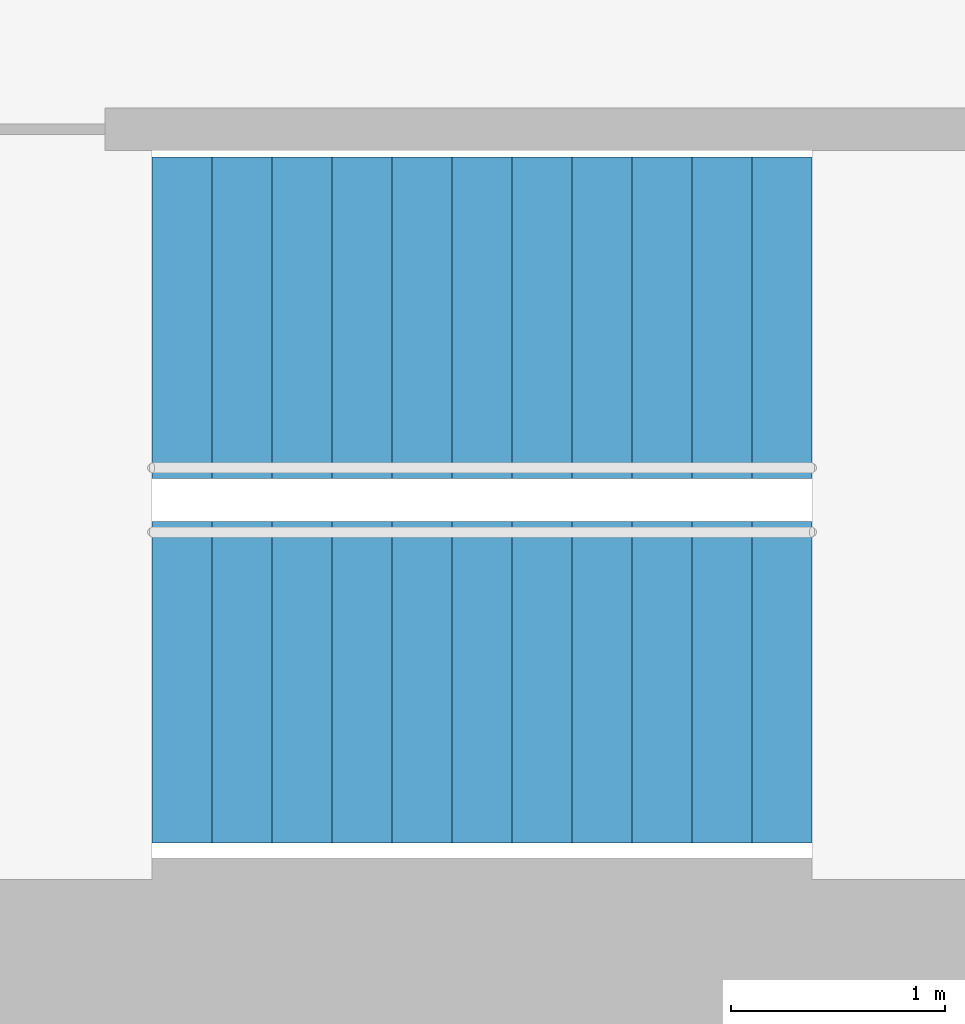
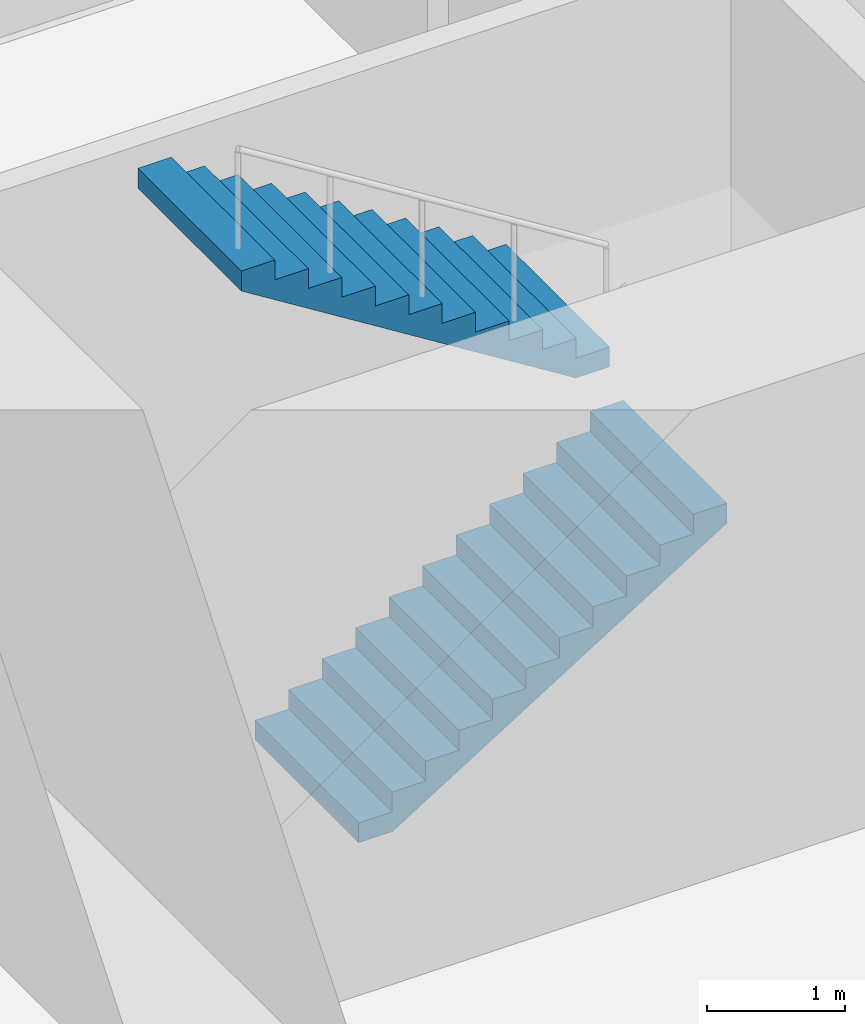
# One storey, part 16 of 18: 2 stair flights, 1 element without a shape of its own.
"""IFC4 building model written with IfcOpenShell, lengths in metres."""

from ifc_helpers import new_model, si_unit, direction, frame, origin, place, context, subcontext, project, spatial, triangles, material, type_object, element, aggregate, save


model = new_model("IFC4")

# Units and contexts
model_context = context("Model", 3, precision=1e-05, world=origin(), true_north=direction((0.0, 1.0)))
body_context = subcontext(model_context, "Body", "Model", "MODEL_VIEW")
ifc_project = project(units=[si_unit("LENGTHUNIT", "METRE"), si_unit("AREAUNIT", "SQUARE_METRE"), si_unit("VOLUMEUNIT", "CUBIC_METRE"), si_unit("PLANEANGLEUNIT", "RADIAN"), si_unit("MASSUNIT", "GRAM", prefix="KILO")], contexts=[model_context])

# Site, building, storey
site_placement = place(None, origin())
site = spatial("IfcSite", under=ifc_project, at=site_placement, CompositionType="ELEMENT")
building_placement = place(site_placement, origin())
building = spatial("IfcBuilding", under=site, at=building_placement, Name="Lantaw Convention Tower", CompositionType="ELEMENT")
storey_placement = place(building_placement, frame((0.0, 0.0, 142.60009765625)))
storey = spatial("IfcBuildingStorey", under=building, at=storey_placement, Name="L33", CompositionType="ELEMENT", Elevation=142.60009765625)

# Stair, stair flights
ifc_material = material(Name="Concrete C35/45", Category="concrete")
stair_type = type_object("IfcStairType", Name="Exit stair 1500 riser 175 in 2 flights", PredefinedType="HALF_TURN_STAIR", material=ifc_material)
stair_placement = place(storey_placement, origin())
stair = element("IfcStair", 1, at=stair_placement, inside=storey, type_object=stair_type, Name="Exit stair S1 L33", PredefinedType="HALF_TURN_STAIR")
stair_flight_type = type_object("IfcStairFlightType", Name="Stair flight 1500 riser 175", PredefinedType="STRAIGHT", material=ifc_material)
stair_flight_1_placement = place(storey_placement, frame((-10.580078125, -5.97998046875, 0.0), z_axis=(0.0, 0.0, 1.0), x_axis=(1.0, 0.0, 0.0)))
stair_flight_1 = element("IfcStairFlight", 2, at=stair_flight_1_placement, type_object=stair_flight_type, Name="S1 flight 1", NumberOfRisers=12, NumberOfTreads=11, PredefinedType="STRAIGHT", RiserHeight=0.175, TreadLength=0.28, context=body_context, shape_type="Tessellation", body=[
    triangles([(0.0, 0.75, 0.0), (0.0, 0.75, 0.175), (0.28, 0.75, 0.0), (0.28, 0.75, 0.175), (0.28, 0.75, 0.35), (0.28283517651771284, 0.75, 0.0), (0.28283517651771284, 0.75, 0.35), (0.56, 0.75, 0.17322801467642948), (0.56, 0.75, 0.35), (0.56, 0.75, 0.5249999999999999), (0.8400000000000001, 0.75, 0.34822801467642944), (0.8400000000000001, 0.75, 0.5249999999999999), (0.8400000000000001, 0.75, 0.7), (1.12, 0.75, 0.5232280146764294), (1.12, 0.75, 0.7), (1.12, 0.75, 0.875), (1.4000000000000001, 0.75, 0.6982280146764295), (1.4000000000000001, 0.75, 0.875), (1.4000000000000001, 0.75, 1.0499999999999998), (1.6800000000000002, 0.75, 0.8732280146764294), (1.6800000000000002, 0.75, 1.0499999999999998), (1.6800000000000002, 0.75, 1.2249999999999999), (1.9600000000000002, 0.75, 1.0482280146764293), (1.9600000000000002, 0.75, 1.2249999999999999), (1.9600000000000002, 0.75, 1.4), (2.24, 0.75, 1.2232280146764294), (2.24, 0.75, 1.4), (2.24, 0.75, 1.575), (2.5200000000000005, 0.75, 1.3982280146764294), (2.5200000000000005, 0.75, 1.575), (2.5200000000000005, 0.75, 1.75), (2.8000000000000003, 0.75, 1.5732280146764293), (2.8000000000000003, 0.75, 1.75), (2.8000000000000003, 0.75, 1.9249999999999998), (3.08, 0.75, 1.7482280146764293), (3.08, 0.75, 1.9249999999999998), (0.0, -0.75, 0.0), (0.0, -0.75, 0.175), (0.28, -0.75, 0.0), (0.28, -0.75, 0.175), (0.28, -0.75, 0.35), (0.28283517651771284, -0.75, 0.0), (0.28283517651771284, -0.75, 0.35), (0.56, -0.75, 0.17322801467642948), (0.56, -0.75, 0.35), (0.56, -0.75, 0.5249999999999999), (0.8400000000000001, -0.75, 0.34822801467642944), (0.8400000000000001, -0.75, 0.5249999999999999), (0.8400000000000001, -0.75, 0.7), (1.12, -0.75, 0.5232280146764294), (1.12, -0.75, 0.7), (1.12, -0.75, 0.875), (1.4000000000000001, -0.75, 0.6982280146764295), (1.4000000000000001, -0.75, 0.875), (1.4000000000000001, -0.75, 1.0499999999999998), (1.6800000000000002, -0.75, 0.8732280146764294), (1.6800000000000002, -0.75, 1.0499999999999998), (1.6800000000000002, -0.75, 1.2249999999999999), (1.9600000000000002, -0.75, 1.0482280146764293), (1.9600000000000002, -0.75, 1.2249999999999999), (1.9600000000000002, -0.75, 1.4), (2.24, -0.75, 1.2232280146764294), (2.24, -0.75, 1.4), (2.24, -0.75, 1.575), (2.5200000000000005, -0.75, 1.3982280146764294), (2.5200000000000005, -0.75, 1.575), (2.5200000000000005, -0.75, 1.75), (2.8000000000000003, -0.75, 1.5732280146764293), (2.8000000000000003, -0.75, 1.75), (2.8000000000000003, -0.75, 1.9249999999999998), (3.08, -0.75, 1.7482280146764293), (3.08, -0.75, 1.9249999999999998), (0.0, 0.15000000000000002, 0.175), (0.0, 0.15000000000000002, 0.0), (0.0, 0.0, 0.175), (0.0, 0.0, 0.0), (0.0, -0.15000000000000002, 0.175), (0.0, -0.15000000000000002, 0.0), (0.28, 0.15000000000000002, 0.35), (0.28, 0.15000000000000002, 0.175), (0.28, 0.0, 0.35), (0.28, 0.0, 0.175), (0.28, -0.15000000000000002, 0.35), (0.28, -0.15000000000000002, 0.175), (0.56, 0.15000000000000002, 0.5249999999999999), (0.56, 0.15000000000000002, 0.35), (0.56, 0.0, 0.5249999999999999), (0.56, 0.0, 0.35), (0.56, -0.15000000000000002, 0.5249999999999999), (0.56, -0.15000000000000002, 0.35), (0.8400000000000001, 0.15000000000000002, 0.7), (0.8400000000000001, 0.15000000000000002, 0.5249999999999999), (0.8400000000000001, 0.0, 0.7), (0.8400000000000001, 0.0, 0.5249999999999999), (0.8400000000000001, -0.15000000000000002, 0.7), (0.8400000000000001, -0.15000000000000002, 0.5249999999999999), (1.12, 0.15000000000000002, 0.875), (1.12, 0.15000000000000002, 0.7), (1.12, 0.0, 0.875), (1.12, 0.0, 0.7), (1.12, -0.15000000000000002, 0.875), (1.12, -0.15000000000000002, 0.7), (1.4000000000000001, 0.15000000000000002, 1.0499999999999998), (1.4000000000000001, 0.15000000000000002, 0.875), (1.4000000000000001, 0.0, 1.0499999999999998), (1.4000000000000001, 0.0, 0.875), (1.4000000000000001, -0.15000000000000002, 1.0499999999999998), (1.4000000000000001, -0.15000000000000002, 0.875), (1.6800000000000002, 0.15000000000000002, 1.2249999999999999), (1.6800000000000002, 0.15000000000000002, 1.0499999999999998), (1.6800000000000002, 0.0, 1.2249999999999999), (1.6800000000000002, 0.0, 1.0499999999999998), (1.6800000000000002, -0.15000000000000002, 1.2249999999999999), (1.6800000000000002, -0.15000000000000002, 1.0499999999999998), (1.9600000000000002, 0.15000000000000002, 1.4), (1.9600000000000002, 0.15000000000000002, 1.2249999999999999), (1.9600000000000002, 0.0, 1.4), (1.9600000000000002, 0.0, 1.2249999999999999), (1.9600000000000002, -0.15000000000000002, 1.4), (1.9600000000000002, -0.15000000000000002, 1.2249999999999999), (2.24, 0.15000000000000002, 1.575), (2.24, 0.15000000000000002, 1.4), (2.24, 0.0, 1.575), (2.24, 0.0, 1.4), (2.24, -0.15000000000000002, 1.575), (2.24, -0.15000000000000002, 1.4), (2.5200000000000005, 0.15000000000000002, 1.75), (2.5200000000000005, 0.15000000000000002, 1.575), (2.5200000000000005, 0.0, 1.75), (2.5200000000000005, 0.0, 1.575), (2.5200000000000005, -0.15000000000000002, 1.75), (2.5200000000000005, -0.15000000000000002, 1.575), (2.8000000000000003, 0.15000000000000002, 1.9249999999999998), (2.8000000000000003, 0.15000000000000002, 1.75), (2.8000000000000003, 0.0, 1.9249999999999998), (2.8000000000000003, 0.0, 1.75), (2.8000000000000003, -0.15000000000000002, 1.9249999999999998), (2.8000000000000003, -0.15000000000000002, 1.75), (0.28283517651771284, 0.15000000000000002, 0.35), (0.28283517651771284, 0.0, 0.35), (0.28283517651771284, -0.15000000000000002, 0.35), (3.08, 0.15000000000000002, 1.9249999999999998), (3.08, 0.0, 1.9249999999999998), (3.08, -0.15000000000000002, 1.9249999999999998), (3.08, 0.15000000000000002, 1.7482280146764293), (3.08, 0.0, 1.7482280146764293), (3.08, -0.15000000000000002, 1.7482280146764293), (2.8000000000000003, 0.15000000000000002, 1.5732280146764293), (2.8000000000000003, 0.0, 1.5732280146764293), (2.8000000000000003, -0.15000000000000002, 1.5732280146764293), (2.5200000000000005, 0.15000000000000002, 1.3982280146764294), (2.5200000000000005, 0.0, 1.3982280146764294), (2.5200000000000005, -0.15000000000000002, 1.3982280146764294), (2.24, 0.15000000000000002, 1.2232280146764294), (2.24, 0.0, 1.2232280146764294), (2.24, -0.15000000000000002, 1.2232280146764294), (1.9600000000000002, 0.15000000000000002, 1.0482280146764293), (1.9600000000000002, 0.0, 1.0482280146764293), (1.9600000000000002, -0.15000000000000002, 1.0482280146764293), (1.6800000000000002, 0.15000000000000002, 0.8732280146764294), (1.6800000000000002, 0.0, 0.8732280146764294), (1.6800000000000002, -0.15000000000000002, 0.8732280146764294), (1.4000000000000001, 0.15000000000000002, 0.6982280146764295), (1.4000000000000001, 0.0, 0.6982280146764295), (1.4000000000000001, -0.15000000000000002, 0.6982280146764295), (1.12, 0.15000000000000002, 0.5232280146764294), (1.12, 0.0, 0.5232280146764294), (1.12, -0.15000000000000002, 0.5232280146764294), (0.8400000000000001, 0.15000000000000002, 0.34822801467642944), (0.8400000000000001, 0.0, 0.34822801467642944), (0.8400000000000001, -0.15000000000000002, 0.34822801467642944), (0.56, 0.15000000000000002, 0.17322801467642948), (0.56, 0.0, 0.17322801467642948), (0.56, -0.15000000000000002, 0.17322801467642948), (0.28283517651771284, 0.15000000000000002, 0.0), (0.28283517651771284, 0.0, 0.0), (0.28283517651771284, -0.15000000000000002, 0.0), (0.28, 0.15000000000000002, 0.0), (0.28, 0.0, 0.0), (0.28, -0.15000000000000002, 0.0)], [[1, 4, 3], [1, 2, 4], [3, 4, 6], [4, 7, 6], [4, 5, 7], [6, 9, 8], [6, 7, 9], [8, 9, 11], [9, 12, 11], [9, 10, 12], [11, 12, 14], [12, 15, 14], [12, 13, 15], [14, 15, 17], [15, 18, 17], [15, 16, 18], [17, 18, 20], [18, 21, 20], [18, 19, 21], [20, 21, 23], [21, 24, 23], [21, 22, 24], [23, 24, 26], [24, 27, 26], [24, 25, 27], [26, 27, 29], [27, 30, 29], [27, 28, 30], [29, 30, 32], [30, 33, 32], [30, 31, 33], [32, 33, 35], [33, 36, 35], [33, 34, 36], [37, 39, 40], [37, 40, 38], [39, 42, 40], [40, 42, 43], [40, 43, 41], [42, 44, 45], [42, 45, 43], [44, 47, 45], [45, 47, 48], [45, 48, 46], [47, 50, 48], [48, 50, 51], [48, 51, 49], [50, 53, 51], [51, 53, 54], [51, 54, 52], [53, 56, 54], [54, 56, 57], [54, 57, 55], [56, 59, 57], [57, 59, 60], [57, 60, 58], [59, 62, 60], [60, 62, 63], [60, 63, 61], [62, 65, 63], [63, 65, 66], [63, 66, 64], [65, 68, 66], [66, 68, 69], [66, 69, 67], [68, 71, 69], [69, 71, 72], [69, 72, 70], [1, 73, 2], [1, 74, 73], [74, 75, 73], [74, 76, 75], [76, 77, 75], [76, 78, 77], [78, 38, 77], [78, 37, 38], [4, 79, 5], [4, 80, 79], [80, 81, 79], [80, 82, 81], [82, 83, 81], [82, 84, 83], [84, 41, 83], [84, 40, 41], [9, 85, 10], [9, 86, 85], [86, 87, 85], [86, 88, 87], [88, 89, 87], [88, 90, 89], [90, 46, 89], [90, 45, 46], [12, 91, 13], [12, 92, 91], [92, 93, 91], [92, 94, 93], [94, 95, 93], [94, 96, 95], [96, 49, 95], [96, 48, 49], [15, 97, 16], [15, 98, 97], [98, 99, 97], [98, 100, 99], [100, 101, 99], [100, 102, 101], [102, 52, 101], [102, 51, 52], [18, 103, 19], [18, 104, 103], [104, 105, 103], [104, 106, 105], [106, 107, 105], [106, 108, 107], [108, 55, 107], [108, 54, 55], [21, 109, 22], [21, 110, 109], [110, 111, 109], [110, 112, 111], [112, 113, 111], [112, 114, 113], [114, 58, 113], [114, 57, 58], [24, 115, 25], [24, 116, 115], [116, 117, 115], [116, 118, 117], [118, 119, 117], [118, 120, 119], [120, 61, 119], [120, 60, 61], [27, 121, 28], [27, 122, 121], [122, 123, 121], [122, 124, 123], [124, 125, 123], [124, 126, 125], [126, 64, 125], [126, 63, 64], [30, 127, 31], [30, 128, 127], [128, 129, 127], [128, 130, 129], [130, 131, 129], [130, 132, 131], [132, 67, 131], [132, 66, 67], [33, 133, 34], [33, 134, 133], [134, 135, 133], [134, 136, 135], [136, 137, 135], [136, 138, 137], [138, 70, 137], [138, 69, 70], [2, 80, 4], [2, 73, 80], [73, 82, 80], [73, 75, 82], [75, 84, 82], [75, 77, 84], [77, 40, 84], [77, 38, 40], [5, 139, 7], [5, 79, 139], [79, 140, 139], [79, 81, 140], [81, 141, 140], [81, 83, 141], [83, 43, 141], [83, 41, 43], [7, 86, 9], [7, 139, 86], [139, 88, 86], [139, 140, 88], [140, 90, 88], [140, 141, 90], [141, 45, 90], [141, 43, 45], [10, 92, 12], [10, 85, 92], [85, 94, 92], [85, 87, 94], [87, 96, 94], [87, 89, 96], [89, 48, 96], [89, 46, 48], [13, 98, 15], [13, 91, 98], [91, 100, 98], [91, 93, 100], [93, 102, 100], [93, 95, 102], [95, 51, 102], [95, 49, 51], [16, 104, 18], [16, 97, 104], [97, 106, 104], [97, 99, 106], [99, 108, 106], [99, 101, 108], [101, 54, 108], [101, 52, 54], [19, 110, 21], [19, 103, 110], [103, 112, 110], [103, 105, 112], [105, 114, 112], [105, 107, 114], [107, 57, 114], [107, 55, 57], [22, 116, 24], [22, 109, 116], [109, 118, 116], [109, 111, 118], [111, 120, 118], [111, 113, 120], [113, 60, 120], [113, 58, 60], [25, 122, 27], [25, 115, 122], [115, 124, 122], [115, 117, 124], [117, 126, 124], [117, 119, 126], [119, 63, 126], [119, 61, 63], [28, 128, 30], [28, 121, 128], [121, 130, 128], [121, 123, 130], [123, 132, 130], [123, 125, 132], [125, 66, 132], [125, 64, 66], [31, 134, 33], [31, 127, 134], [127, 136, 134], [127, 129, 136], [129, 138, 136], [129, 131, 138], [131, 69, 138], [131, 67, 69], [34, 142, 36], [34, 133, 142], [133, 143, 142], [133, 135, 143], [135, 144, 143], [135, 137, 144], [137, 72, 144], [137, 70, 72], [36, 145, 35], [36, 142, 145], [142, 146, 145], [142, 143, 146], [143, 147, 146], [143, 144, 147], [144, 71, 147], [144, 72, 71], [35, 148, 32], [35, 145, 148], [145, 149, 148], [145, 146, 149], [146, 150, 149], [146, 147, 150], [147, 68, 150], [147, 71, 68], [32, 151, 29], [32, 148, 151], [148, 152, 151], [148, 149, 152], [149, 153, 152], [149, 150, 153], [150, 65, 153], [150, 68, 65], [29, 154, 26], [29, 151, 154], [151, 155, 154], [151, 152, 155], [152, 156, 155], [152, 153, 156], [153, 62, 156], [153, 65, 62], [26, 157, 23], [26, 154, 157], [154, 158, 157], [154, 155, 158], [155, 159, 158], [155, 156, 159], [156, 59, 159], [156, 62, 59], [23, 160, 20], [23, 157, 160], [157, 161, 160], [157, 158, 161], [158, 162, 161], [158, 159, 162], [159, 56, 162], [159, 59, 56], [20, 163, 17], [20, 160, 163], [160, 164, 163], [160, 161, 164], [161, 165, 164], [161, 162, 165], [162, 53, 165], [162, 56, 53], [17, 166, 14], [17, 163, 166], [163, 167, 166], [163, 164, 167], [164, 168, 167], [164, 165, 168], [165, 50, 168], [165, 53, 50], [14, 169, 11], [14, 166, 169], [166, 170, 169], [166, 167, 170], [167, 171, 170], [167, 168, 171], [168, 47, 171], [168, 50, 47], [11, 172, 8], [11, 169, 172], [169, 173, 172], [169, 170, 173], [170, 174, 173], [170, 171, 174], [171, 44, 174], [171, 47, 44], [8, 175, 6], [8, 172, 175], [172, 176, 175], [172, 173, 176], [173, 177, 176], [173, 174, 177], [174, 42, 177], [174, 44, 42], [6, 178, 3], [6, 175, 178], [175, 179, 178], [175, 176, 179], [176, 180, 179], [176, 177, 180], [177, 39, 180], [177, 42, 39], [3, 74, 1], [3, 178, 74], [178, 76, 74], [178, 179, 76], [179, 78, 76], [179, 180, 78], [180, 37, 78], [180, 39, 37]], closed=True),
])
stair_flight_2_placement = place(storey_placement, frame((-7.5, -4.280029296875, 2.099853515625), z_axis=(0.0, 0.0, 1.0), x_axis=(-1.0, 0.0, 0.0)))
stair_flight_2 = element("IfcStairFlight", 3, at=stair_flight_2_placement, type_object=stair_flight_type, Name="S1 flight 2", NumberOfRisers=12, NumberOfTreads=11, PredefinedType="STRAIGHT", RiserHeight=0.175, TreadLength=0.28, context=body_context, shape_type="Tessellation", body=[
    triangles([(0.0, 0.75, 0.0), (0.0, 0.75, 0.175), (0.28, 0.75, 0.0), (0.28, 0.75, 0.175), (0.28, 0.75, 0.35), (0.28283517651771284, 0.75, 0.0), (0.28283517651771284, 0.75, 0.35), (0.56, 0.75, 0.17322801467642948), (0.56, 0.75, 0.35), (0.56, 0.75, 0.5249999999999999), (0.8400000000000001, 0.75, 0.34822801467642944), (0.8400000000000001, 0.75, 0.5249999999999999), (0.8400000000000001, 0.75, 0.7), (1.12, 0.75, 0.5232280146764294), (1.12, 0.75, 0.7), (1.12, 0.75, 0.875), (1.4000000000000001, 0.75, 0.6982280146764295), (1.4000000000000001, 0.75, 0.875), (1.4000000000000001, 0.75, 1.0499999999999998), (1.6800000000000002, 0.75, 0.8732280146764294), (1.6800000000000002, 0.75, 1.0499999999999998), (1.6800000000000002, 0.75, 1.2249999999999999), (1.9600000000000002, 0.75, 1.0482280146764293), (1.9600000000000002, 0.75, 1.2249999999999999), (1.9600000000000002, 0.75, 1.4), (2.24, 0.75, 1.2232280146764294), (2.24, 0.75, 1.4), (2.24, 0.75, 1.575), (2.5200000000000005, 0.75, 1.3982280146764294), (2.5200000000000005, 0.75, 1.575), (2.5200000000000005, 0.75, 1.75), (2.8000000000000003, 0.75, 1.5732280146764293), (2.8000000000000003, 0.75, 1.75), (2.8000000000000003, 0.75, 1.9249999999999998), (3.08, 0.75, 1.7482280146764293), (3.08, 0.75, 1.9249999999999998), (0.0, -0.75, 0.0), (0.0, -0.75, 0.175), (0.28, -0.75, 0.0), (0.28, -0.75, 0.175), (0.28, -0.75, 0.35), (0.28283517651771284, -0.75, 0.0), (0.28283517651771284, -0.75, 0.35), (0.56, -0.75, 0.17322801467642948), (0.56, -0.75, 0.35), (0.56, -0.75, 0.5249999999999999), (0.8400000000000001, -0.75, 0.34822801467642944), (0.8400000000000001, -0.75, 0.5249999999999999), (0.8400000000000001, -0.75, 0.7), (1.12, -0.75, 0.5232280146764294), (1.12, -0.75, 0.7), (1.12, -0.75, 0.875), (1.4000000000000001, -0.75, 0.6982280146764295), (1.4000000000000001, -0.75, 0.875), (1.4000000000000001, -0.75, 1.0499999999999998), (1.6800000000000002, -0.75, 0.8732280146764294), (1.6800000000000002, -0.75, 1.0499999999999998), (1.6800000000000002, -0.75, 1.2249999999999999), (1.9600000000000002, -0.75, 1.0482280146764293), (1.9600000000000002, -0.75, 1.2249999999999999), (1.9600000000000002, -0.75, 1.4), (2.24, -0.75, 1.2232280146764294), (2.24, -0.75, 1.4), (2.24, -0.75, 1.575), (2.5200000000000005, -0.75, 1.3982280146764294), (2.5200000000000005, -0.75, 1.575), (2.5200000000000005, -0.75, 1.75), (2.8000000000000003, -0.75, 1.5732280146764293), (2.8000000000000003, -0.75, 1.75), (2.8000000000000003, -0.75, 1.9249999999999998), (3.08, -0.75, 1.7482280146764293), (3.08, -0.75, 1.9249999999999998), (0.0, 0.15000000000000002, 0.175), (0.0, 0.15000000000000002, 0.0), (0.0, 0.0, 0.175), (0.0, 0.0, 0.0), (0.0, -0.15000000000000002, 0.175), (0.0, -0.15000000000000002, 0.0), (0.28, 0.15000000000000002, 0.35), (0.28, 0.15000000000000002, 0.175), (0.28, 0.0, 0.35), (0.28, 0.0, 0.175), (0.28, -0.15000000000000002, 0.35), (0.28, -0.15000000000000002, 0.175), (0.56, 0.15000000000000002, 0.5249999999999999), (0.56, 0.15000000000000002, 0.35), (0.56, 0.0, 0.5249999999999999), (0.56, 0.0, 0.35), (0.56, -0.15000000000000002, 0.5249999999999999), (0.56, -0.15000000000000002, 0.35), (0.8400000000000001, 0.15000000000000002, 0.7), (0.8400000000000001, 0.15000000000000002, 0.5249999999999999), (0.8400000000000001, 0.0, 0.7), (0.8400000000000001, 0.0, 0.5249999999999999), (0.8400000000000001, -0.15000000000000002, 0.7), (0.8400000000000001, -0.15000000000000002, 0.5249999999999999), (1.12, 0.15000000000000002, 0.875), (1.12, 0.15000000000000002, 0.7), (1.12, 0.0, 0.875), (1.12, 0.0, 0.7), (1.12, -0.15000000000000002, 0.875), (1.12, -0.15000000000000002, 0.7), (1.4000000000000001, 0.15000000000000002, 1.0499999999999998), (1.4000000000000001, 0.15000000000000002, 0.875), (1.4000000000000001, 0.0, 1.0499999999999998), (1.4000000000000001, 0.0, 0.875), (1.4000000000000001, -0.15000000000000002, 1.0499999999999998), (1.4000000000000001, -0.15000000000000002, 0.875), (1.6800000000000002, 0.15000000000000002, 1.2249999999999999), (1.6800000000000002, 0.15000000000000002, 1.0499999999999998), (1.6800000000000002, 0.0, 1.2249999999999999), (1.6800000000000002, 0.0, 1.0499999999999998), (1.6800000000000002, -0.15000000000000002, 1.2249999999999999), (1.6800000000000002, -0.15000000000000002, 1.0499999999999998), (1.9600000000000002, 0.15000000000000002, 1.4), (1.9600000000000002, 0.15000000000000002, 1.2249999999999999), (1.9600000000000002, 0.0, 1.4), (1.9600000000000002, 0.0, 1.2249999999999999), (1.9600000000000002, -0.15000000000000002, 1.4), (1.9600000000000002, -0.15000000000000002, 1.2249999999999999), (2.24, 0.15000000000000002, 1.575), (2.24, 0.15000000000000002, 1.4), (2.24, 0.0, 1.575), (2.24, 0.0, 1.4), (2.24, -0.15000000000000002, 1.575), (2.24, -0.15000000000000002, 1.4), (2.5200000000000005, 0.15000000000000002, 1.75), (2.5200000000000005, 0.15000000000000002, 1.575), (2.5200000000000005, 0.0, 1.75), (2.5200000000000005, 0.0, 1.575), (2.5200000000000005, -0.15000000000000002, 1.75), (2.5200000000000005, -0.15000000000000002, 1.575), (2.8000000000000003, 0.15000000000000002, 1.9249999999999998), (2.8000000000000003, 0.15000000000000002, 1.75), (2.8000000000000003, 0.0, 1.9249999999999998), (2.8000000000000003, 0.0, 1.75), (2.8000000000000003, -0.15000000000000002, 1.9249999999999998), (2.8000000000000003, -0.15000000000000002, 1.75), (0.28283517651771284, 0.15000000000000002, 0.35), (0.28283517651771284, 0.0, 0.35), (0.28283517651771284, -0.15000000000000002, 0.35), (3.08, 0.15000000000000002, 1.9249999999999998), (3.08, 0.0, 1.9249999999999998), (3.08, -0.15000000000000002, 1.9249999999999998), (3.08, 0.15000000000000002, 1.7482280146764293), (3.08, 0.0, 1.7482280146764293), (3.08, -0.15000000000000002, 1.7482280146764293), (2.8000000000000003, 0.15000000000000002, 1.5732280146764293), (2.8000000000000003, 0.0, 1.5732280146764293), (2.8000000000000003, -0.15000000000000002, 1.5732280146764293), (2.5200000000000005, 0.15000000000000002, 1.3982280146764294), (2.5200000000000005, 0.0, 1.3982280146764294), (2.5200000000000005, -0.15000000000000002, 1.3982280146764294), (2.24, 0.15000000000000002, 1.2232280146764294), (2.24, 0.0, 1.2232280146764294), (2.24, -0.15000000000000002, 1.2232280146764294), (1.9600000000000002, 0.15000000000000002, 1.0482280146764293), (1.9600000000000002, 0.0, 1.0482280146764293), (1.9600000000000002, -0.15000000000000002, 1.0482280146764293), (1.6800000000000002, 0.15000000000000002, 0.8732280146764294), (1.6800000000000002, 0.0, 0.8732280146764294), (1.6800000000000002, -0.15000000000000002, 0.8732280146764294), (1.4000000000000001, 0.15000000000000002, 0.6982280146764295), (1.4000000000000001, 0.0, 0.6982280146764295), (1.4000000000000001, -0.15000000000000002, 0.6982280146764295), (1.12, 0.15000000000000002, 0.5232280146764294), (1.12, 0.0, 0.5232280146764294), (1.12, -0.15000000000000002, 0.5232280146764294), (0.8400000000000001, 0.15000000000000002, 0.34822801467642944), (0.8400000000000001, 0.0, 0.34822801467642944), (0.8400000000000001, -0.15000000000000002, 0.34822801467642944), (0.56, 0.15000000000000002, 0.17322801467642948), (0.56, 0.0, 0.17322801467642948), (0.56, -0.15000000000000002, 0.17322801467642948), (0.28283517651771284, 0.15000000000000002, 0.0), (0.28283517651771284, 0.0, 0.0), (0.28283517651771284, -0.15000000000000002, 0.0), (0.28, 0.15000000000000002, 0.0), (0.28, 0.0, 0.0), (0.28, -0.15000000000000002, 0.0)], [[1, 4, 3], [1, 2, 4], [3, 4, 6], [4, 7, 6], [4, 5, 7], [6, 9, 8], [6, 7, 9], [8, 9, 11], [9, 12, 11], [9, 10, 12], [11, 12, 14], [12, 15, 14], [12, 13, 15], [14, 15, 17], [15, 18, 17], [15, 16, 18], [17, 18, 20], [18, 21, 20], [18, 19, 21], [20, 21, 23], [21, 24, 23], [21, 22, 24], [23, 24, 26], [24, 27, 26], [24, 25, 27], [26, 27, 29], [27, 30, 29], [27, 28, 30], [29, 30, 32], [30, 33, 32], [30, 31, 33], [32, 33, 35], [33, 36, 35], [33, 34, 36], [37, 39, 40], [37, 40, 38], [39, 42, 40], [40, 42, 43], [40, 43, 41], [42, 44, 45], [42, 45, 43], [44, 47, 45], [45, 47, 48], [45, 48, 46], [47, 50, 48], [48, 50, 51], [48, 51, 49], [50, 53, 51], [51, 53, 54], [51, 54, 52], [53, 56, 54], [54, 56, 57], [54, 57, 55], [56, 59, 57], [57, 59, 60], [57, 60, 58], [59, 62, 60], [60, 62, 63], [60, 63, 61], [62, 65, 63], [63, 65, 66], [63, 66, 64], [65, 68, 66], [66, 68, 69], [66, 69, 67], [68, 71, 69], [69, 71, 72], [69, 72, 70], [1, 73, 2], [1, 74, 73], [74, 75, 73], [74, 76, 75], [76, 77, 75], [76, 78, 77], [78, 38, 77], [78, 37, 38], [4, 79, 5], [4, 80, 79], [80, 81, 79], [80, 82, 81], [82, 83, 81], [82, 84, 83], [84, 41, 83], [84, 40, 41], [9, 85, 10], [9, 86, 85], [86, 87, 85], [86, 88, 87], [88, 89, 87], [88, 90, 89], [90, 46, 89], [90, 45, 46], [12, 91, 13], [12, 92, 91], [92, 93, 91], [92, 94, 93], [94, 95, 93], [94, 96, 95], [96, 49, 95], [96, 48, 49], [15, 97, 16], [15, 98, 97], [98, 99, 97], [98, 100, 99], [100, 101, 99], [100, 102, 101], [102, 52, 101], [102, 51, 52], [18, 103, 19], [18, 104, 103], [104, 105, 103], [104, 106, 105], [106, 107, 105], [106, 108, 107], [108, 55, 107], [108, 54, 55], [21, 109, 22], [21, 110, 109], [110, 111, 109], [110, 112, 111], [112, 113, 111], [112, 114, 113], [114, 58, 113], [114, 57, 58], [24, 115, 25], [24, 116, 115], [116, 117, 115], [116, 118, 117], [118, 119, 117], [118, 120, 119], [120, 61, 119], [120, 60, 61], [27, 121, 28], [27, 122, 121], [122, 123, 121], [122, 124, 123], [124, 125, 123], [124, 126, 125], [126, 64, 125], [126, 63, 64], [30, 127, 31], [30, 128, 127], [128, 129, 127], [128, 130, 129], [130, 131, 129], [130, 132, 131], [132, 67, 131], [132, 66, 67], [33, 133, 34], [33, 134, 133], [134, 135, 133], [134, 136, 135], [136, 137, 135], [136, 138, 137], [138, 70, 137], [138, 69, 70], [2, 80, 4], [2, 73, 80], [73, 82, 80], [73, 75, 82], [75, 84, 82], [75, 77, 84], [77, 40, 84], [77, 38, 40], [5, 139, 7], [5, 79, 139], [79, 140, 139], [79, 81, 140], [81, 141, 140], [81, 83, 141], [83, 43, 141], [83, 41, 43], [7, 86, 9], [7, 139, 86], [139, 88, 86], [139, 140, 88], [140, 90, 88], [140, 141, 90], [141, 45, 90], [141, 43, 45], [10, 92, 12], [10, 85, 92], [85, 94, 92], [85, 87, 94], [87, 96, 94], [87, 89, 96], [89, 48, 96], [89, 46, 48], [13, 98, 15], [13, 91, 98], [91, 100, 98], [91, 93, 100], [93, 102, 100], [93, 95, 102], [95, 51, 102], [95, 49, 51], [16, 104, 18], [16, 97, 104], [97, 106, 104], [97, 99, 106], [99, 108, 106], [99, 101, 108], [101, 54, 108], [101, 52, 54], [19, 110, 21], [19, 103, 110], [103, 112, 110], [103, 105, 112], [105, 114, 112], [105, 107, 114], [107, 57, 114], [107, 55, 57], [22, 116, 24], [22, 109, 116], [109, 118, 116], [109, 111, 118], [111, 120, 118], [111, 113, 120], [113, 60, 120], [113, 58, 60], [25, 122, 27], [25, 115, 122], [115, 124, 122], [115, 117, 124], [117, 126, 124], [117, 119, 126], [119, 63, 126], [119, 61, 63], [28, 128, 30], [28, 121, 128], [121, 130, 128], [121, 123, 130], [123, 132, 130], [123, 125, 132], [125, 66, 132], [125, 64, 66], [31, 134, 33], [31, 127, 134], [127, 136, 134], [127, 129, 136], [129, 138, 136], [129, 131, 138], [131, 69, 138], [131, 67, 69], [34, 142, 36], [34, 133, 142], [133, 143, 142], [133, 135, 143], [135, 144, 143], [135, 137, 144], [137, 72, 144], [137, 70, 72], [36, 145, 35], [36, 142, 145], [142, 146, 145], [142, 143, 146], [143, 147, 146], [143, 144, 147], [144, 71, 147], [144, 72, 71], [35, 148, 32], [35, 145, 148], [145, 149, 148], [145, 146, 149], [146, 150, 149], [146, 147, 150], [147, 68, 150], [147, 71, 68], [32, 151, 29], [32, 148, 151], [148, 152, 151], [148, 149, 152], [149, 153, 152], [149, 150, 153], [150, 65, 153], [150, 68, 65], [29, 154, 26], [29, 151, 154], [151, 155, 154], [151, 152, 155], [152, 156, 155], [152, 153, 156], [153, 62, 156], [153, 65, 62], [26, 157, 23], [26, 154, 157], [154, 158, 157], [154, 155, 158], [155, 159, 158], [155, 156, 159], [156, 59, 159], [156, 62, 59], [23, 160, 20], [23, 157, 160], [157, 161, 160], [157, 158, 161], [158, 162, 161], [158, 159, 162], [159, 56, 162], [159, 59, 56], [20, 163, 17], [20, 160, 163], [160, 164, 163], [160, 161, 164], [161, 165, 164], [161, 162, 165], [162, 53, 165], [162, 56, 53], [17, 166, 14], [17, 163, 166], [163, 167, 166], [163, 164, 167], [164, 168, 167], [164, 165, 168], [165, 50, 168], [165, 53, 50], [14, 169, 11], [14, 166, 169], [166, 170, 169], [166, 167, 170], [167, 171, 170], [167, 168, 171], [168, 47, 171], [168, 50, 47], [11, 172, 8], [11, 169, 172], [169, 173, 172], [169, 170, 173], [170, 174, 173], [170, 171, 174], [171, 44, 174], [171, 47, 44], [8, 175, 6], [8, 172, 175], [172, 176, 175], [172, 173, 176], [173, 177, 176], [173, 174, 177], [174, 42, 177], [174, 44, 42], [6, 178, 3], [6, 175, 178], [175, 179, 178], [175, 176, 179], [176, 180, 179], [176, 177, 180], [177, 39, 180], [177, 42, 39], [3, 74, 1], [3, 178, 74], [178, 76, 74], [178, 179, 76], [179, 78, 76], [179, 180, 78], [180, 37, 78], [180, 39, 37]], closed=True),
])
aggregate(stair, [stair_flight_1, stair_flight_2])

save(model, "model.ifc")
